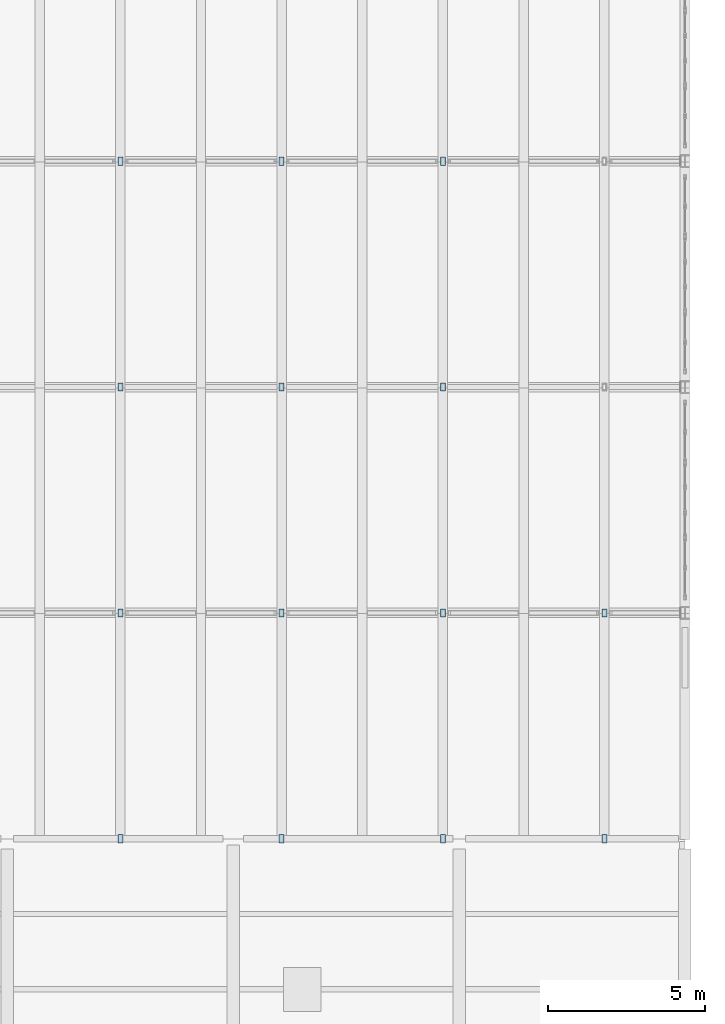
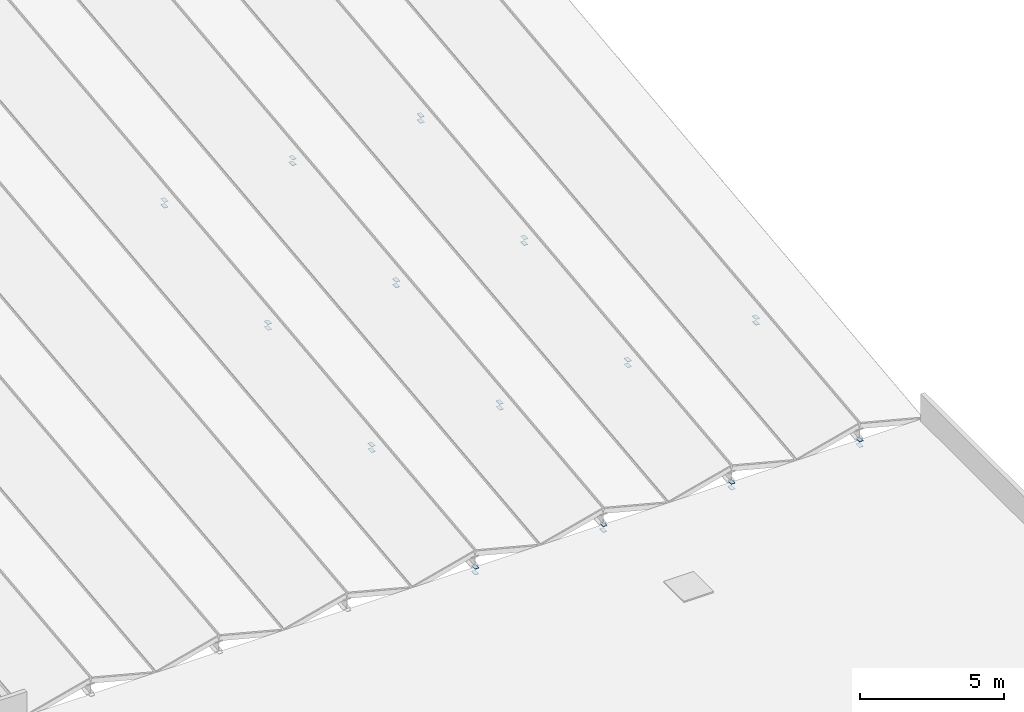
# One storey, part 36 of 48: 28 plates.
"""IFC4 building model written with IfcOpenShell, lengths in metres."""

from ifc_helpers import new_model, si_unit, direction, frame, origin, origin_2d, place, context, subcontext, project, spatial, rectangle, extrude, material, layer, layer_set, type_object, element, save


model = new_model("IFC4")

# Units and contexts
model_context = context("Model", 3, precision=1e-05, world=origin(), true_north=direction((0.0, 1.0)))
body_context = subcontext(model_context, "Body", "Model", "MODEL_VIEW")
ifc_project = project(units=[si_unit("LENGTHUNIT", "METRE"), si_unit("AREAUNIT", "SQUARE_METRE"), si_unit("VOLUMEUNIT", "CUBIC_METRE"), si_unit("PLANEANGLEUNIT", "RADIAN"), si_unit("MASSUNIT", "GRAM", prefix="KILO"), si_unit("THERMODYNAMICTEMPERATUREUNIT", "KELVIN"), si_unit("POWERUNIT", "WATT")], contexts=[model_context])

# Site, building, storey
site_placement = place(None, origin())
site = spatial("IfcSite", under=ifc_project, at=site_placement, CompositionType="ELEMENT")
building_placement = place(site_placement, origin())
building = spatial("IfcBuilding", under=site, at=building_placement, Name="Kaldorven Railside Theatre", CompositionType="ELEMENT")
storey_placement = place(building_placement, frame((0.0, 0.0, 18.89990234375)))
storey = spatial("IfcBuildingStorey", under=building, at=storey_placement, Name="L04", CompositionType="ELEMENT", Elevation=18.89990234375)

# Plates
ifc_material = material(Name="Steel S355", Category="steel")
ifc_layer = layer(ifc_material, 0.011962890625, Name="Steel S355")
ifc_layer_set = layer_set([ifc_layer], Name="Steel S355")
plate_type = type_object("IfcPlateType", Name="PLT-CAP-12", PredefinedType="USERDEFINED", material=ifc_layer_set)
for number, where, z_axis, x_axis, name in (
    (1, (105.199951171875, 40.800048828125, -0.25), (0.0, 0.0, 1.0), (1.0, 0.0, 0.0), "End cap gusset plate PL-0127"),
    (2, (105.199951171875, 40.800048828125, -0.00048828125), (0.0, 0.0, 1.0), (1.0, 0.0, 0.0), "End cap gusset plate PL-0128"),
    (3, (110.3427734375, 40.800048828125, -0.25), (0.0, 0.0, 1.0), (1.0, 0.0, 0.0), "End cap gusset plate PL-0129"),
    (4, (110.3427734375, 40.800048828125, -0.00048828125), (0.0, 0.0, 1.0), (1.0, 0.0, 0.0), "End cap gusset plate PL-0130"),
    (5, (115.485595703125, 40.800048828125, -0.25), (0.0, 0.0, 1.0), (1.0, 0.0, 0.0), "End cap gusset plate PL-0131"),
    (6, (115.485595703125, 40.800048828125, -0.00048828125), (0.0, 0.0, 1.0), (1.0, 0.0, 0.0), "End cap gusset plate PL-0132"),
    (7, (120.62841796875, 40.800048828125, -0.25), (0.0, 0.0, 1.0), (1.0, 0.0, 0.0), "End cap gusset plate PL-0133"),
    (8, (120.62841796875, 40.800048828125, -0.00048828125), (0.0, 0.0, 1.0), (1.0, 0.0, 0.0), "End cap gusset plate PL-0134"),
    (9, (105.199951171875, 48.0, 0.57373046875), (0.0, 0.0, 1.0), (1.0, 0.0, 0.0), "End cap gusset plate PL-0201"),
    (10, (105.199951171875, 48.0, 0.8173828125), (0.0, 0.0, 1.0), (1.0, 0.0, 0.0), "End cap gusset plate PL-0202"),
    (11, (105.199951171875, 55.199951171875, 1.39404296875), (0.0, 0.0, 1.0), (1.0, 0.0, 0.0), "End cap gusset plate PL-0203"),
    (12, (105.199951171875, 55.199951171875, 1.63720703125), (0.0, 0.0, 1.0), (1.0, 0.0, 0.0), "End cap gusset plate PL-0204"),
    (13, (105.199951171875, 62.39990234375, 2.2138671875), (0.0, 0.0, 1.0), (1.0, 0.0, 0.0), "End cap gusset plate PL-0205"),
    (14, (105.199951171875, 62.39990234375, 2.45751953125), (0.0, 0.0, 1.0), (1.0, 0.0, 0.0), "End cap gusset plate PL-0206"),
    (15, (110.3427734375, 48.0, 0.57373046875), (0.0, 0.0, 1.0), (1.0, 0.0, 0.0), "End cap gusset plate PL-0211"),
    (16, (110.3427734375, 48.0, 0.8173828125), (0.0, 0.0, 1.0), (1.0, 0.0, 0.0), "End cap gusset plate PL-0212"),
    (17, (110.3427734375, 55.199951171875, 1.39404296875), (0.0, 0.0, 1.0), (1.0, 0.0, 0.0), "End cap gusset plate PL-0213"),
    (18, (110.3427734375, 55.199951171875, 1.63720703125), (0.0, 0.0, 1.0), (1.0, 0.0, 0.0), "End cap gusset plate PL-0214"),
    (19, (110.3427734375, 62.39990234375, 2.2138671875), (0.0, 0.0, 1.0), (1.0, 0.0, 0.0), "End cap gusset plate PL-0215"),
    (20, (110.3427734375, 62.39990234375, 2.45751953125), (0.0, 0.0, 1.0), (1.0, 0.0, 0.0), "End cap gusset plate PL-0216"),
    (21, (115.485595703125, 48.0, 0.57373046875), (0.0, 0.0, 1.0), (1.0, 0.0, 0.0), "End cap gusset plate PL-0221"),
    (22, (115.485595703125, 48.0, 0.8173828125), (0.0, 0.0, 1.0), (1.0, 0.0, 0.0), "End cap gusset plate PL-0222"),
    (23, (115.485595703125, 55.199951171875, 1.39404296875), (0.0, 0.0, 1.0), (1.0, 0.0, 0.0), "End cap gusset plate PL-0223"),
    (24, (115.485595703125, 55.199951171875, 1.63720703125), (0.0, 0.0, 1.0), (1.0, 0.0, 0.0), "End cap gusset plate PL-0224"),
    (25, (115.485595703125, 62.39990234375, 2.2138671875), (0.0, 0.0, 1.0), (1.0, 0.0, 0.0), "End cap gusset plate PL-0225"),
    (26, (115.485595703125, 62.39990234375, 2.45751953125), (0.0, 0.0, 1.0), (1.0, 0.0, 0.0), "End cap gusset plate PL-0226"),
    (27, (120.62841796875, 48.0, 0.57373046875), (0.0, 0.0, 1.0), (1.0, 0.0, 0.0), "End cap gusset plate PL-0231"),
    (28, (120.62841796875, 48.0, 0.8173828125), (0.0, 0.0, 1.0), (1.0, 0.0, 0.0), "End cap gusset plate PL-0232"),
):
    element("IfcPlate", number, at=place(storey_placement, frame(where, z_axis=z_axis, x_axis=x_axis)), inside=storey, type_object=plate_type, Name=name, ObjectType="CAP PLATE", PredefinedType="USERDEFINED", context=body_context, shape_type="SweptSolid", body=[
        extrude(rectangle(XDim=0.159912109375, YDim=0.260009765625, at=origin_2d()), origin(), (0.0, 0.0, 1.0), 0.011962890625),
    ])

save(model, "model.ifc")
